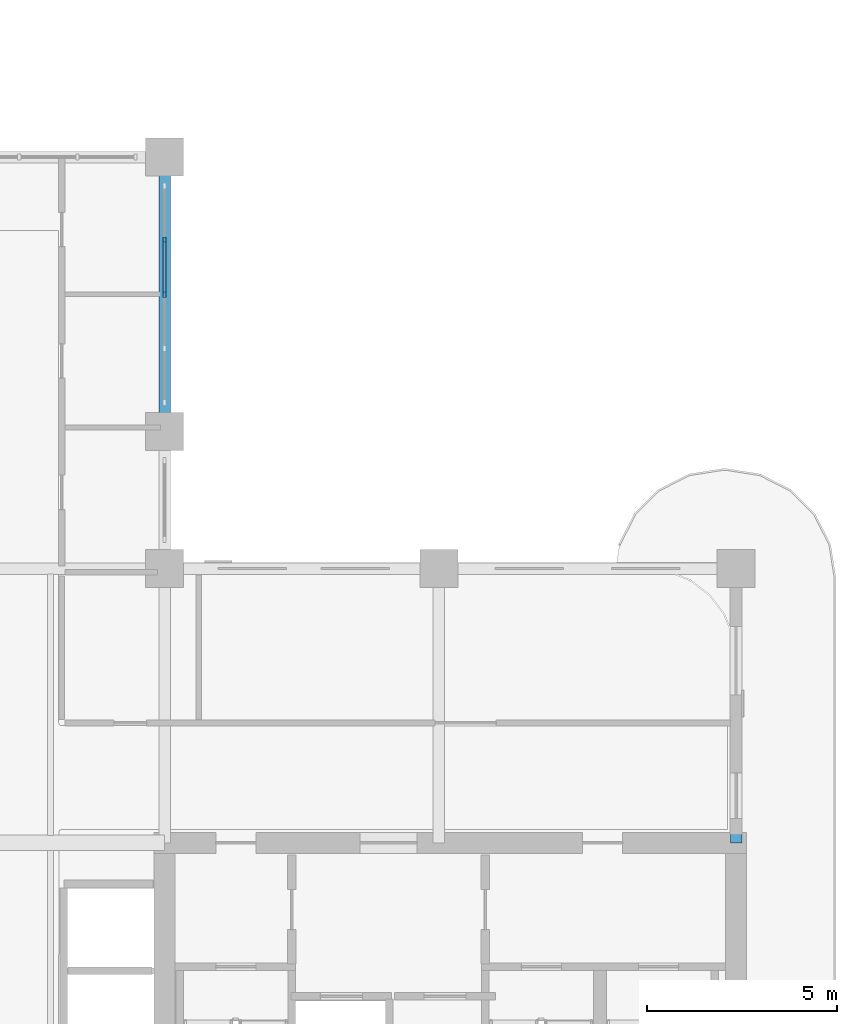
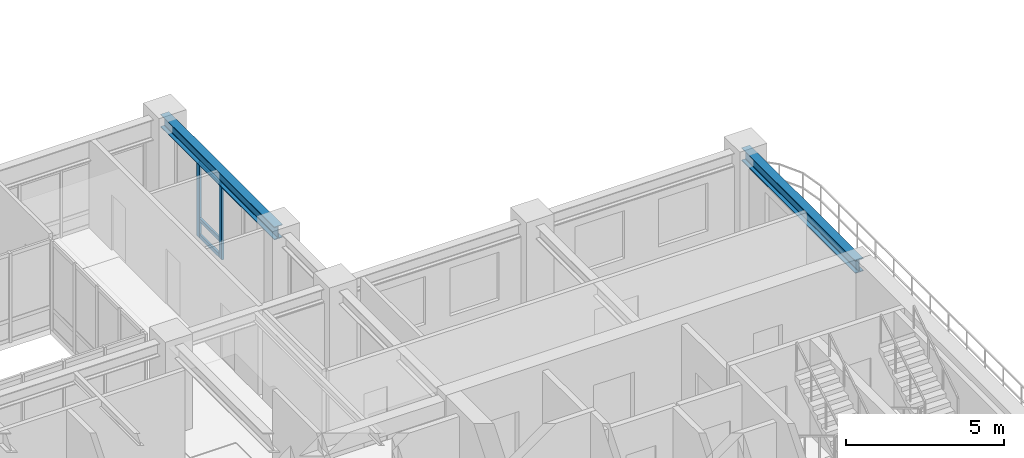
# One storey, part 4 of 20: 5 members, 2 beams, 1 element without a shape of its own.
"""IFC4 building model written with IfcOpenShell, lengths in metres."""

from ifc_helpers import new_model, si_unit, derived_unit, direction, frame, origin, origin_2d, place, context, subcontext, project, spatial, rectangle, i_section, extrude, source, transform, mapped, material, layer, layer_set, material_profile, profile_set, type_object, type_shapes, element, aggregate, save


model = new_model("IFC4")

# Units and contexts
model_context = context("Model", 3, precision=1e-05, world=origin(), true_north=direction((0.0, 1.0)))
body_context = subcontext(model_context, "Body", "Model", "MODEL_VIEW")
ifc_project = project(units=[si_unit("LENGTHUNIT", "METRE"), si_unit("AREAUNIT", "SQUARE_METRE"), si_unit("VOLUMEUNIT", "CUBIC_METRE"), si_unit("PLANEANGLEUNIT", "RADIAN"), si_unit("MASSUNIT", "GRAM", prefix="KILO"), si_unit("THERMODYNAMICTEMPERATUREUNIT", "KELVIN"), si_unit("POWERUNIT", "WATT"), derived_unit("THERMALTRANSMITTANCEUNIT", [(si_unit("POWERUNIT", "WATT"), 1), (si_unit("AREAUNIT", "SQUARE_METRE"), -1), (si_unit("THERMODYNAMICTEMPERATUREUNIT", "KELVIN"), -1)])], contexts=[model_context])

# Site, building, storey
site_placement = place(None, origin())
site = spatial("IfcSite", under=ifc_project, at=site_placement, CompositionType="ELEMENT")
building_placement = place(site_placement, origin())
building = spatial("IfcBuilding", under=site, at=building_placement, Name="Zahravan Archway Hotel and Residences", CompositionType="ELEMENT")
storey_placement = place(building_placement, frame((0.0, 0.0, 137.699951171875)))
storey = spatial("IfcBuildingStorey", under=building, at=storey_placement, Name="L34", CompositionType="ELEMENT", Elevation=137.699951171875)

# Beams
ifc_material_1 = material(Name="Structural Steel S355JR", Category="steel")
ifc_material_profile_1 = material_profile(ifc_material_1, i_section(OverallWidth=0.300048828125, OverallDepth=0.5, WebThickness=0.014404296875, FlangeThickness=0.028076171875, FilletRadius=0.027099609375, at=origin_2d()), Name="HEB 500", Category="steel")
ifc_profile_set_1 = profile_set([ifc_material_profile_1], Name="Structural Steel S355JR")
beam_type = type_object("IfcBeamType", Name="BM-PRI-HEB500", PredefinedType="BEAM", material=ifc_profile_set_1)
shared_shape_1 = source(origin(), body_context, "Body", "SweptSolid", [
    extrude(i_section(OverallWidth=0.300048828125, OverallDepth=0.5, WebThickness=0.014404296875, FlangeThickness=0.028076171875, FilletRadius=0.027099609375, at=origin_2d()), origin(), (0.0, 0.0, 1.0), 7.2001953125),
])
type_shapes(beam_type, [shared_shape_1])
beam_1_placement = place(storey_placement, frame((49.800048828125, 14.39990234375, 3.199951171875), z_axis=(0.0, 1.0, 0.0), x_axis=(-1.0, 0.0, 0.0)))
element("IfcBeam", 1, at=beam_1_placement, inside=storey, type_object=beam_type, Name="L34 Primary Girder NS-45", PredefinedType="BEAM", context=body_context, shape_type="MappedRepresentation", body=[
    mapped(shared_shape_1, transform((0.0, 0.0, 0.0), scale=1.0)),
])
shared_shape_2 = source(origin(), body_context, "Body", "SweptSolid", [
    extrude(i_section(OverallWidth=0.300048828125, OverallDepth=0.5, WebThickness=0.014404296875, FlangeThickness=0.028076171875, FilletRadius=0.027099609375, at=origin_2d()), origin(), (0.0, 0.0, 1.0), 7.199951171875),
])
beam_2_placement = place(storey_placement, frame((34.800048828125, 25.199951171875, 3.199951171875), z_axis=(0.0, 1.0, 0.0), x_axis=(-1.0, 0.0, 0.0)))
element("IfcBeam", 2, at=beam_2_placement, inside=storey, type_object=beam_type, Name="L34 Primary Girder NS-43", PredefinedType="BEAM", context=body_context, shape_type="MappedRepresentation", body=[
    mapped(shared_shape_2, transform((0.0, 0.0, 0.0), scale=1.0)),
])

# Curtain wall, members
ifc_material_2 = material(Name="Bronze-Anodized Unitised Aluminium & Low-E Glass", Category="aluminium")
ifc_layer = layer(ifc_material_2, 0.179931640625, Name="Bronze-Anodized Unitised Aluminium & Low-E Glass", Category="aluminium")
ifc_layer_set = layer_set([ifc_layer], Name="Bronze-Anodized Unitised Aluminium & Low-E Glass")
curtain_wall_type = type_object("IfcCurtainWallType", Name="CW-ATR-GLAZ", PredefinedType="NOTDEFINED", material=ifc_layer_set)
curtain_wall_placement = place(storey_placement, origin())
curtain_wall = element("IfcCurtainWall", 3, at=curtain_wall_placement, inside=storey, type_object=curtain_wall_type, Name="L34 Curtain Wall CW-L34-HNG-E-2", PredefinedType="NOTDEFINED")
ifc_material_3 = material(Name="Bronze-Anodized Extruded Aluminium", Category="aluminium")
ifc_material_profile_2 = material_profile(ifc_material_3, rectangle(XDim=0.080078125, YDim=0.139892578125, at=origin_2d()), Name="TRN 80x140", Category="aluminium")
ifc_profile_set_2 = profile_set([ifc_material_profile_2], Name="Bronze-Anodized Extruded Aluminium")
member_type_1 = type_object("IfcMemberType", Name="CWM-TRN-140", PredefinedType="USERDEFINED", material=ifc_profile_set_2)
shared_shape_3 = source(origin(), body_context, "Body", "SweptSolid", [
    extrude(rectangle(XDim=0.080078125, YDim=0.139892578125, at=origin_2d()), origin(), (0.0, 0.0, 1.0), 1.33984375),
])
member_1_placement = place(storey_placement, frame((34.800048828125, 28.840087890625, 0.070068359375), z_axis=(0.0, 1.0, 0.0), x_axis=(-1.0, 0.0, 0.0)))
member_1 = element("IfcMember", 4, at=member_1_placement, type_object=member_type_1, Name="CW-L34-HNG-E-2 Transom 2-1", ObjectType="TRANSOM", PredefinedType="USERDEFINED", context=body_context, shape_type="MappedRepresentation", body=[
    mapped(shared_shape_3, transform((0.0, 0.0, 0.0), scale=1.0)),
])
member_2_placement = place(storey_placement, frame((34.800048828125, 28.840087890625, 0.704345703125), z_axis=(0.0, 1.0, 0.0), x_axis=(-1.0, 0.0, 0.0)))
member_2 = element("IfcMember", 5, at=member_2_placement, type_object=member_type_1, Name="CW-L34-HNG-E-2 Transom 2-2", ObjectType="TRANSOM", PredefinedType="USERDEFINED", context=body_context, shape_type="MappedRepresentation", body=[
    mapped(shared_shape_3, transform((0.0, 0.0, 0.0), scale=1.0)),
])
member_3_placement = place(storey_placement, frame((34.800048828125, 28.840087890625, 2.864990234375), z_axis=(0.0, 1.0, 0.0), x_axis=(-1.0, 0.0, 0.0)))
member_3 = element("IfcMember", 6, at=member_3_placement, type_object=member_type_1, Name="CW-L34-HNG-E-2 Transom 2-3", ObjectType="TRANSOM", PredefinedType="USERDEFINED", context=body_context, shape_type="MappedRepresentation", body=[
    mapped(shared_shape_3, transform((0.0, 0.0, 0.0), scale=1.0)),
])
ifc_material_profile_3 = material_profile(ifc_material_3, rectangle(XDim=0.080078125, YDim=0.159912109375, at=origin_2d()), Name="MUL 80x160", Category="aluminium")
ifc_profile_set_3 = profile_set([ifc_material_profile_3], Name="Bronze-Anodized Extruded Aluminium")
member_type_2 = type_object("IfcMemberType", Name="CWM-MUL-160", PredefinedType="MULLION", material=ifc_profile_set_3)
shared_shape_4 = source(origin(), body_context, "Body", "SweptSolid", [
    extrude(rectangle(XDim=0.080078125, YDim=0.159912109375, at=origin_2d()), origin(), (0.0, 0.0, 1.0), 2.93505859375),
])
member_4_placement = place(storey_placement, frame((34.800048828125, 28.800048828125, 0.0), z_axis=(0.0, 0.0, 1.0), x_axis=(1.0, 0.0, 0.0)))
member_4 = element("IfcMember", 7, at=member_4_placement, type_object=member_type_2, Name="CW-L34-HNG-E-2 Mullion 2", PredefinedType="MULLION", context=body_context, shape_type="MappedRepresentation", body=[
    mapped(shared_shape_4, transform((0.0, 0.0, 0.0), scale=1.0)),
])
member_5_placement = place(storey_placement, frame((34.800048828125, 30.219970703125, 0.0), z_axis=(0.0, 0.0, 1.0), x_axis=(1.0, 0.0, 0.0)))
member_5 = element("IfcMember", 8, at=member_5_placement, type_object=member_type_2, Name="CW-L34-HNG-E-2 Mullion 3", PredefinedType="MULLION", context=body_context, shape_type="MappedRepresentation", body=[
    mapped(shared_shape_4, transform((0.0, 0.0, 0.0), scale=1.0)),
])
aggregate(curtain_wall, [member_4, member_5, member_1, member_2, member_3])

save(model, "model.ifc")
